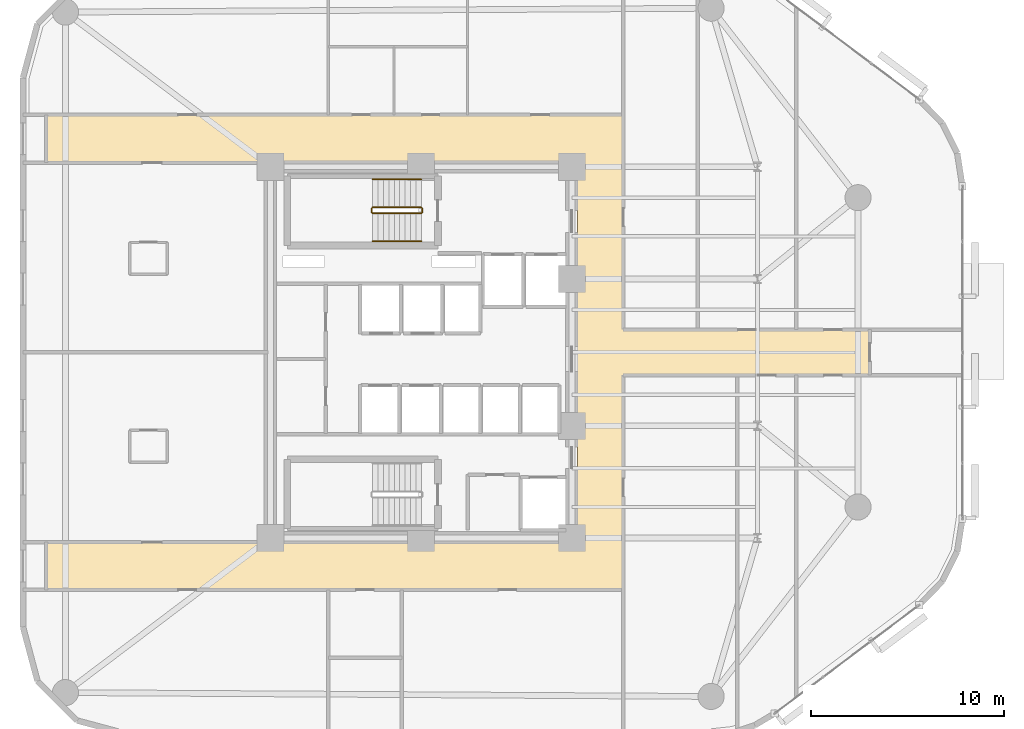
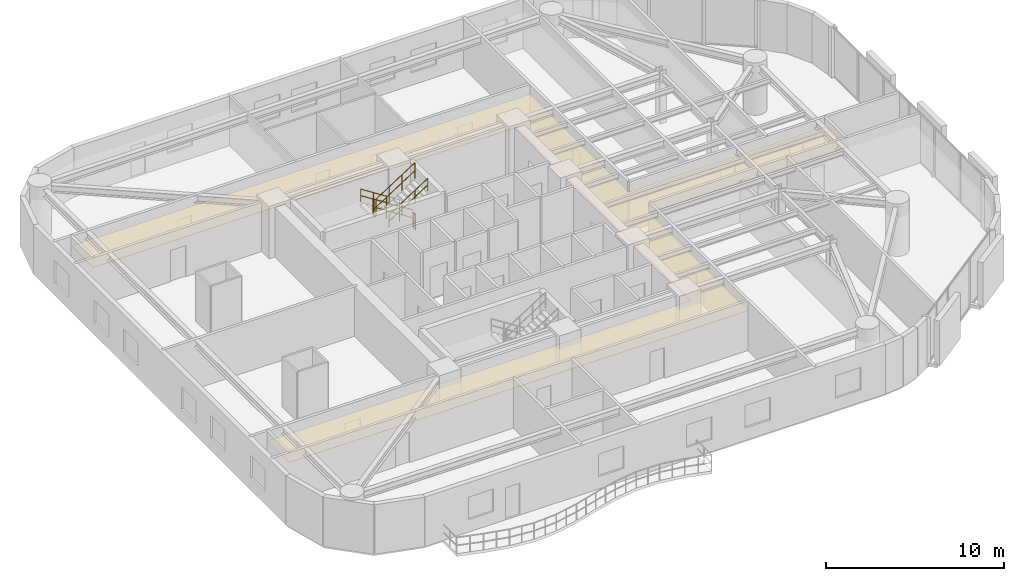
# One storey, part 15 of 16: 6 railings, 1 covering.
"""IFC4 building model written with IfcOpenShell, lengths in metres."""

from ifc_helpers import new_model, si_unit, direction, frame, origin, origin_2d, place, context, subcontext, project, spatial, polyline, circle, outline, extrude, material, layer, layer_set, type_object, element, save


model = new_model("IFC4")

# Units and contexts
model_context = context("Model", 3, precision=1e-05, world=origin(), true_north=direction((0.0, 1.0)))
body_context = subcontext(model_context, "Body", "Model", "MODEL_VIEW")
ifc_project = project(units=[si_unit("LENGTHUNIT", "METRE"), si_unit("AREAUNIT", "SQUARE_METRE"), si_unit("VOLUMEUNIT", "CUBIC_METRE"), si_unit("PLANEANGLEUNIT", "RADIAN"), si_unit("MASSUNIT", "GRAM", prefix="KILO")], contexts=[model_context])

# Site, building, storey
site_placement = place(None, origin())
site = spatial("IfcSite", under=ifc_project, at=site_placement, CompositionType="ELEMENT")
building_placement = place(site_placement, origin())
building = spatial("IfcBuilding", under=site, at=building_placement, Name="An Khanh Terracotta Commons", CompositionType="ELEMENT")
storey_placement = place(building_placement, frame((0.0, 0.0, 118.699951171875)))
storey = spatial("IfcBuildingStorey", under=building, at=storey_placement, Name="L31", CompositionType="ELEMENT", Elevation=118.699951171875)

# Covering
ifc_material_1 = material(Name="Perforated Mineral-Fibre Acoustic Tile")
ifc_layer = layer(ifc_material_1, 0.02001953125, Name="Perforated Mineral-Fibre Acoustic Tile")
ifc_layer_set = layer_set([ifc_layer], Name="Perforated Mineral-Fibre Acoustic Tile")
covering_type = type_object("IfcCoveringType", Name="CEIL-ACOUSTIC-18", PredefinedType="CEILING", material=ifc_layer_set)
covering_placement = place(storey_placement, frame((0.0, 0.0, 2.650146484375)))
element("IfcCovering", 1, at=covering_placement, inside=storey, type_object=covering_type, Name="L31 Corridor Ceiling", PredefinedType="CEILING", context=body_context, shape_type="SweptSolid", body=[
    extrude(outline(polyline([(10.0, 11.719970703125), (10.0, 14.179931640625), (37.5, 14.179931640625), (37.5, 33.820068359375), (10.0, 33.820068359375), (10.0, 36.280029296875), (37.5, 36.280029296875), (39.85009765625, 36.280029296875), (39.85009765625, 33.820068359375), (39.85009765625, 25.179931640625), (52.60009765625, 25.179931640625), (52.60009765625, 22.820068359375), (39.85009765625, 22.820068359375), (39.85009765625, 14.179931640625), (39.85009765625, 11.719970703125), (37.5, 11.719970703125), (10.0, 11.719970703125)])), origin(), (0.0, 0.0, 1.0), 0.02001953125),
])

# Railings
ifc_material_2 = material(Name="Brushed Stainless Steel 316", Category="steel")
railing_type_1 = type_object("IfcRailingType", Name="RAIL-HANDRAIL-900", PredefinedType="HANDRAIL", material=ifc_material_2)
railing_1_placement = place(storey_placement, frame((29.409912109375, 32.949951171875, 0.179931640625)))
element("IfcRailing", 2, at=railing_1_placement, inside=storey, type_object=railing_type_1, Name="L31 ST-01 stair handrail 1", PredefinedType="HANDRAIL", context=body_context, shape_type="SweptSolid", body=[
    extrude(circle(Radius=0.02392578125, at=origin_2d()), frame((0.0, 0.0, 0.8759765625), z_axis=(-0.841162588446, 0.0, 0.540782303519), x_axis=(0.0, -1.0, 0.0)), (0.0, 0.0, 1.0), 2.995849609375),
    extrude(circle(Radius=0.02392578125, at=origin_2d()), frame((0.0, 0.0, 0.42578125), z_axis=(-0.841162588446, 0.0, 0.540782303519), x_axis=(0.0, -1.0, 0.0)), (0.0, 0.0, 1.0), 2.995849609375),
    extrude(circle(Radius=0.02099609375, at=origin_2d()), origin(), (0.0, 0.0, 1.0), 0.851806640625),
    extrude(circle(Radius=0.02099609375, at=origin_2d()), frame((-0.840087890625, 0.0, 0.5400390625)), (0.0, 0.0, 1.0), 0.851806640625),
    extrude(circle(Radius=0.02099609375, at=origin_2d()), frame((-1.679931640625, 0.0, 1.080078125)), (0.0, 0.0, 1.0), 0.851806640625),
    extrude(circle(Radius=0.02099609375, at=origin_2d()), frame((-2.52001953125, 0.0, 1.6201171875)), (0.0, 0.0, 1.0), 0.851806640625),
])
railing_2_placement = place(storey_placement, frame((26.889892578125, 29.75, 1.97998046875)))
element("IfcRailing", 3, at=railing_2_placement, inside=storey, type_object=railing_type_1, Name="L31 ST-01 stair handrail 2", PredefinedType="HANDRAIL", context=body_context, shape_type="SweptSolid", body=[
    extrude(circle(Radius=0.02392578125, at=origin_2d()), frame((0.0, 0.0, 0.8759765625), z_axis=(0.841162588446, 0.0, 0.540782303519), x_axis=(0.0, 1.0, 0.0)), (0.0, 0.0, 1.0), 2.995849609375),
    extrude(circle(Radius=0.02392578125, at=origin_2d()), frame((0.0, 0.0, 0.42578125), z_axis=(0.841162588446, 0.0, 0.540782303519), x_axis=(0.0, 1.0, 0.0)), (0.0, 0.0, 1.0), 2.995849609375),
    extrude(circle(Radius=0.02099609375, at=origin_2d()), origin(), (0.0, 0.0, 1.0), 0.851806640625),
    extrude(circle(Radius=0.02099609375, at=origin_2d()), frame((0.840087890625, 0.0, 0.5400390625)), (0.0, 0.0, 1.0), 0.851806640625),
    extrude(circle(Radius=0.02099609375, at=origin_2d()), frame((1.679931640625, 0.0, 1.080078125)), (0.0, 0.0, 1.0), 0.851806640625),
    extrude(circle(Radius=0.02099609375, at=origin_2d()), frame((2.52001953125, 0.0, 1.6201171875)), (0.0, 0.0, 1.0), 0.851806640625),
])
ifc_material_3 = material(Name="Powder-Coated Steel S355J2", Category="steel")
railing_type_2 = type_object("IfcRailingType", Name="RAIL-STAIR-GUARD-1100", PredefinedType="BALUSTRADE", material=ifc_material_3)
railing_3_placement = place(storey_placement, frame((29.409912109375, 31.5, 0.179931640625)))
element("IfcRailing", 4, at=railing_3_placement, inside=storey, type_object=railing_type_2, Name="L31 ST-01 stair guard 1", PredefinedType="BALUSTRADE", context=body_context, shape_type="SweptSolid", body=[
    extrude(circle(Radius=0.02392578125, at=origin_2d()), frame((0.0, 0.0, 1.076171875), z_axis=(-0.841162588446, 0.0, 0.540782303519), x_axis=(0.0, -1.0, 0.0)), (0.0, 0.0, 1.0), 2.995849609375),
    extrude(circle(Radius=0.02392578125, at=origin_2d()), frame((0.0, 0.0, 0.52587890625), z_axis=(-0.841162588446, 0.0, 0.540782303519), x_axis=(0.0, -1.0, 0.0)), (0.0, 0.0, 1.0), 2.995849609375),
    extrude(circle(Radius=0.02099609375, at=origin_2d()), origin(), (0.0, 0.0, 1.0), 1.052001953125),
    extrude(circle(Radius=0.02099609375, at=origin_2d()), frame((-0.840087890625, 0.0, 0.5400390625)), (0.0, 0.0, 1.0), 1.052001953125),
    extrude(circle(Radius=0.02099609375, at=origin_2d()), frame((-1.679931640625, 0.0, 1.080078125)), (0.0, 0.0, 1.0), 1.052001953125),
    extrude(circle(Radius=0.02099609375, at=origin_2d()), frame((-2.52001953125, 0.0, 1.6201171875)), (0.0, 0.0, 1.0), 1.052001953125),
])
railing_4_placement = place(storey_placement, frame((26.840087890625, 31.449951171875, 1.800048828125)))
element("IfcRailing", 5, at=railing_4_placement, inside=storey, type_object=railing_type_2, Name="L31 ST-01 stair guard 2", PredefinedType="BALUSTRADE", context=body_context, shape_type="SweptSolid", body=[
    extrude(circle(Radius=0.02392578125, at=origin_2d()), frame((0.0, 0.0, 1.076171875), z_axis=(0.0, -1.0, 0.0), x_axis=(1.0, 0.0, 0.0)), (0.0, 0.0, 1.0), 0.199951171875),
    extrude(circle(Radius=0.02392578125, at=origin_2d()), frame((0.0, 0.0, 0.52587890625), z_axis=(0.0, -1.0, 0.0), x_axis=(1.0, 0.0, 0.0)), (0.0, 0.0, 1.0), 0.199951171875),
    extrude(circle(Radius=0.02099609375, at=origin_2d()), origin(), (0.0, 0.0, 1.0), 1.052001953125),
    extrude(circle(Radius=0.02099609375, at=origin_2d()), frame((0.0, -0.199951171875, 0.0)), (0.0, 0.0, 1.0), 1.052001953125),
])
railing_5_placement = place(storey_placement, frame((26.889892578125, 31.199951171875, 1.97998046875)))
element("IfcRailing", 6, at=railing_5_placement, inside=storey, type_object=railing_type_2, Name="L31 ST-01 stair guard 3", PredefinedType="BALUSTRADE", context=body_context, shape_type="SweptSolid", body=[
    extrude(circle(Radius=0.02392578125, at=origin_2d()), frame((0.0, 0.0, 1.076171875), z_axis=(0.841162588446, 0.0, 0.540782303519), x_axis=(0.0, 1.0, 0.0)), (0.0, 0.0, 1.0), 2.995849609375),
    extrude(circle(Radius=0.02392578125, at=origin_2d()), frame((0.0, 0.0, 0.52587890625), z_axis=(0.841162588446, 0.0, 0.540782303519), x_axis=(0.0, 1.0, 0.0)), (0.0, 0.0, 1.0), 2.995849609375),
    extrude(circle(Radius=0.02099609375, at=origin_2d()), origin(), (0.0, 0.0, 1.0), 1.052001953125),
    extrude(circle(Radius=0.02099609375, at=origin_2d()), frame((0.840087890625, 0.0, 0.5400390625)), (0.0, 0.0, 1.0), 1.052001953125),
    extrude(circle(Radius=0.02099609375, at=origin_2d()), frame((1.679931640625, 0.0, 1.080078125)), (0.0, 0.0, 1.0), 1.052001953125),
    extrude(circle(Radius=0.02099609375, at=origin_2d()), frame((2.52001953125, 0.0, 1.6201171875)), (0.0, 0.0, 1.0), 1.052001953125),
])
railing_6_placement = place(storey_placement, frame((29.4599609375, 31.449951171875, 0.0)))
element("IfcRailing", 7, at=railing_6_placement, inside=storey, type_object=railing_type_2, Name="L31 ST-01 stair guard 4", PredefinedType="BALUSTRADE", context=body_context, shape_type="SweptSolid", body=[
    extrude(circle(Radius=0.02392578125, at=origin_2d()), frame((0.0, 0.0, 1.076171875), z_axis=(0.0, -1.0, 0.0), x_axis=(1.0, 0.0, 0.0)), (0.0, 0.0, 1.0), 0.199951171875),
    extrude(circle(Radius=0.02392578125, at=origin_2d()), frame((0.0, 0.0, 0.52587890625), z_axis=(0.0, -1.0, 0.0), x_axis=(1.0, 0.0, 0.0)), (0.0, 0.0, 1.0), 0.199951171875),
    extrude(circle(Radius=0.02099609375, at=origin_2d()), origin(), (0.0, 0.0, 1.0), 1.052001953125),
    extrude(circle(Radius=0.02099609375, at=origin_2d()), frame((0.0, -0.199951171875, 0.0)), (0.0, 0.0, 1.0), 1.052001953125),
])

save(model, "model.ifc")
